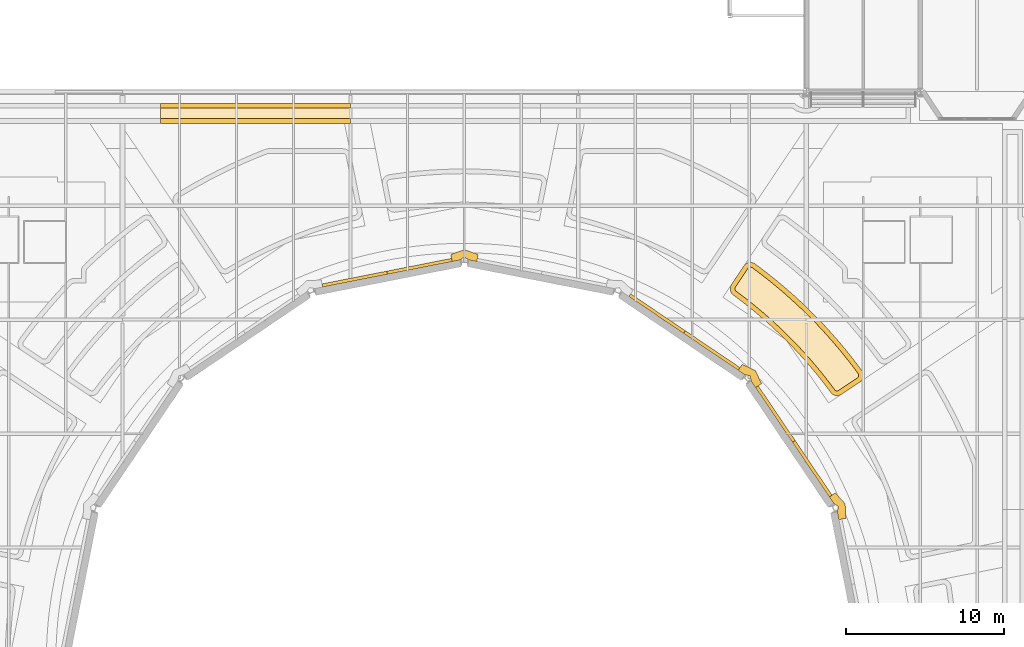
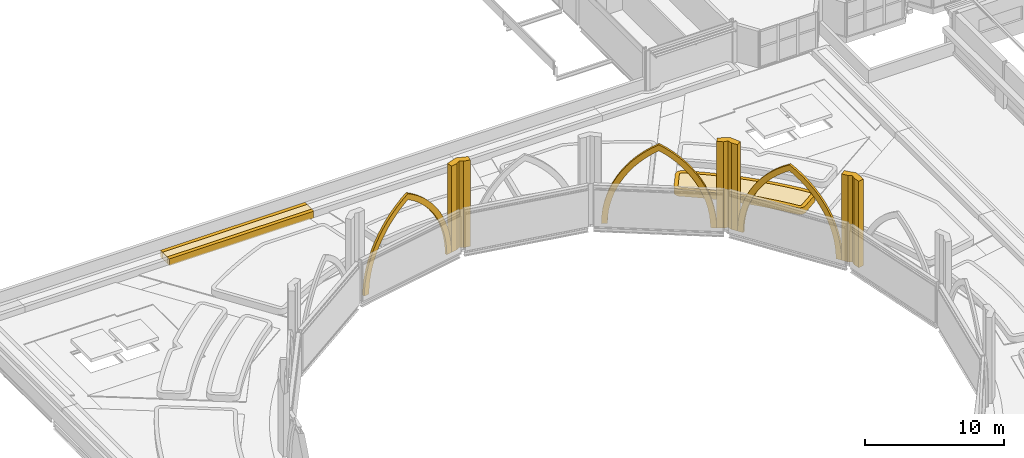
# One storey, part 96 of 110: 11 coverings.
"""IFC4 building model written with IfcOpenShell, lengths in metres."""

from ifc_helpers import new_model, si_unit, direction, frame, origin, place, context, subcontext, project, spatial, polyline, outline, extrude, material, layer, layer_set, type_object, element, save


model = new_model("IFC4")

# Units and contexts
model_context = context("Model", 3, precision=1e-05, world=origin(), true_north=direction((0.0, 1.0)))
body_context = subcontext(model_context, "Body", "Model", "MODEL_VIEW")
ifc_project = project(units=[si_unit("LENGTHUNIT", "METRE"), si_unit("AREAUNIT", "SQUARE_METRE"), si_unit("VOLUMEUNIT", "CUBIC_METRE"), si_unit("PLANEANGLEUNIT", "RADIAN"), si_unit("MASSUNIT", "GRAM", prefix="KILO")], contexts=[model_context])

# Site, building, storey
site_placement = place(None, origin())
site = spatial("IfcSite", under=ifc_project, at=site_placement, CompositionType="ELEMENT")
building_placement = place(site_placement, origin())
building = spatial("IfcBuilding", under=site, at=building_placement, Name="Kupolbacken Congress Centre", CompositionType="ELEMENT")
storey_placement = place(building_placement, frame((0.0, 0.0, 18.0)))
storey = spatial("IfcBuildingStorey", under=building, at=storey_placement, Name="L05", CompositionType="ELEMENT", Elevation=18.0)

# Coverings
ifc_material_1 = material(Name="Limestone cladding", Category="masonry")
ifc_layer_1 = layer(ifc_material_1, 0.60009765625)
ifc_layer_set_1 = layer_set([ifc_layer_1], Name="Limestone cladding")
covering_type_1 = type_object("IfcCoveringType", Name="CV5 limestone arcade pier 600", PredefinedType="CLADDING", material=ifc_layer_set_1)
covering_1_placement = place(storey_placement, origin())
element("IfcCovering", 1, at=covering_1_placement, inside=storey, type_object=covering_type_1, Name="Bed kerb, plenary wing roof", PredefinedType="CLADDING", context=body_context, shape_type="SweptSolid", body=[
    extrude(outline(polyline([(24.0, 120.3974609375), (24.0, 120.697509765625), (36.0, 120.697509765625), (36.0, 120.3974609375), (24.0, 120.3974609375)])), origin(), (0.0, 0.0, 1.0), 0.60009765625),
])
covering_2_placement = place(storey_placement, origin())
element("IfcCovering", 2, at=covering_2_placement, inside=storey, type_object=covering_type_1, Name="Bed kerb, plenary wing roof", PredefinedType="CLADDING", context=body_context, shape_type="SweptSolid", body=[
    extrude(outline(polyline([(36.0, 121.669921875), (36.0, 121.3701171875), (24.0, 121.3701171875), (24.0, 121.669921875), (36.0, 121.669921875)])), origin(), (0.0, 0.0, 1.0), 0.60009765625),
])
covering_3_placement = place(storey_placement, origin())
element("IfcCovering", 3, at=covering_3_placement, inside=storey, type_object=covering_type_1, Name="Bed kerb, plenary wing roof", PredefinedType="CLADDING", context=body_context, shape_type="SweptSolid", body=[
    extrude(outline(polyline([(66.26611328125, 103.5107421875), (65.843017578125, 104.06689453125), (65.839111328125, 104.07177734375), (65.402587890625, 104.6171875), (65.398681640625, 104.6220703125), (64.948974609375, 105.156494140625), (64.94482421875, 105.161376953125), (64.48193359375, 105.684814453125), (64.477783203125, 105.689208984375), (64.002197265625, 106.201171875), (63.998046875, 106.205810546875), (63.510009765625, 106.705810546875), (63.505859375, 106.710205078125), (63.005615234375, 107.197998046875), (63.001220703125, 107.202392578125), (62.4892578125, 107.677978515625), (62.484619140625, 107.681884765625), (61.961181640625, 108.14501953125), (61.95654296875, 108.14892578125), (61.422119140625, 108.5986328125), (61.417236328125, 108.6025390625), (60.87158203125, 109.039306640625), (60.866943359375, 109.04296875), (60.310791015625, 109.466064453125), (60.305908203125, 109.4697265625), (60.204345703125, 109.543212890625), (60.1669921875, 109.572998046875), (60.132568359375, 109.6064453125), (60.101318359375, 109.642822265625), (60.073974609375, 109.68212890625), (60.050537109375, 109.723876953125), (60.031005859375, 109.767578125), (60.015869140625, 109.813232421875), (60.005126953125, 109.85986328125), (59.998779296875, 109.907470703125), (59.997314453125, 109.955322265625), (60.000244140625, 110.003173828125), (60.0078125, 110.05029296875), (60.019775390625, 110.0966796875), (60.0361328125, 110.141845703125), (60.056884765625, 110.18505859375), (60.08154296875, 110.22607421875), (60.859619140625, 111.390869140625), (60.8896484375, 111.43115234375), (60.923583984375, 111.46826171875), (60.9609375, 111.501708984375), (61.00146484375, 111.53125), (61.044921875, 111.556640625), (61.090576171875, 111.57763671875), (61.137939453125, 111.59375), (61.18701171875, 111.605224609375), (61.23681640625, 111.611572265625), (61.287109375, 111.61279296875), (61.3369140625, 111.609375), (61.386474609375, 111.6005859375), (61.434814453125, 111.5869140625), (61.481689453125, 111.568603515625), (61.526123046875, 111.545654296875), (61.568359375, 111.518310546875), (61.733154296875, 111.3994140625), (61.742919921875, 111.391845703125), (62.341064453125, 110.93701171875), (62.3505859375, 110.92919921875), (62.9375, 110.459716796875), (62.947021484375, 110.451904296875), (63.52197265625, 109.968017578125), (63.53125, 109.960205078125), (64.09423828125, 109.46240234375), (64.103271484375, 109.4541015625), (64.65380859375, 108.942626953125), (64.662841796875, 108.93408203125), (65.20068359375, 108.4091796875), (65.209228515625, 108.400634765625), (65.734130859375, 107.86279296875), (65.74267578125, 107.85400390625), (66.254150390625, 107.30322265625), (66.26220703125, 107.294189453125), (66.760009765625, 106.731201171875), (66.76806640625, 106.721923828125), (67.251953125, 106.14697265625), (67.259765625, 106.137451171875), (67.729248046875, 105.55078125), (67.73681640625, 105.541015625), (68.19189453125, 104.94287109375), (68.19921875, 104.93310546875), (68.318359375, 104.768310546875), (68.345703125, 104.726318359375), (68.36865234375, 104.681640625), (68.386962890625, 104.634765625), (68.400634765625, 104.58642578125), (68.4091796875, 104.537109375), (68.412841796875, 104.487060546875), (68.41162109375, 104.436767578125), (68.4052734375, 104.386962890625), (68.393798828125, 104.337890625), (68.377685546875, 104.29052734375), (68.356689453125, 104.244873046875), (68.331298828125, 104.201416015625), (68.3017578125, 104.160888671875), (68.268310546875, 104.12353515625), (68.231201171875, 104.089599609375), (68.19091796875, 104.059814453125), (67.026123046875, 103.281494140625), (66.985107421875, 103.2568359375), (66.94189453125, 103.236083984375), (66.896728515625, 103.2197265625), (66.850341796875, 103.207763671875), (66.802978515625, 103.2001953125), (66.75537109375, 103.197265625), (66.70751953125, 103.198974609375), (66.659912109375, 103.205078125), (66.61328125, 103.2158203125), (66.567626953125, 103.23095703125), (66.52392578125, 103.25048828125), (66.482177734375, 103.27392578125), (66.44287109375, 103.301513671875), (66.406494140625, 103.33251953125), (66.373046875, 103.366943359375), (66.343017578125, 103.404296875), (66.269775390625, 103.505859375), (66.26611328125, 103.5107421875)]), holes=[polyline([(66.58203125, 103.5859375), (66.598388671875, 103.565185546875), (66.61181640625, 103.551513671875), (66.62646484375, 103.539306640625), (66.64208984375, 103.5283203125), (66.65869140625, 103.518798828125), (66.67626953125, 103.510986328125), (66.6943359375, 103.5048828125), (66.712890625, 103.500732421875), (66.73193359375, 103.498291015625), (66.751220703125, 103.49755859375), (66.770263671875, 103.498779296875), (66.7890625, 103.501708984375), (66.8076171875, 103.506591796875), (66.82568359375, 103.51318359375), (66.843017578125, 103.521484375), (66.865478515625, 103.534912109375), (68.017822265625, 104.304931640625), (68.0400390625, 104.3212890625), (68.054931640625, 104.3349609375), (68.068359375, 104.349853515625), (68.080078125, 104.3662109375), (68.090087890625, 104.38330078125), (68.098388671875, 104.401611328125), (68.10498046875, 104.420654296875), (68.109619140625, 104.440185546875), (68.112060546875, 104.4599609375), (68.112548828125, 104.47998046875), (68.111083984375, 104.5), (68.107666015625, 104.519775390625), (68.102294921875, 104.5390625), (68.094970703125, 104.5576171875), (68.085693359375, 104.57568359375), (68.07080078125, 104.5986328125), (67.957275390625, 104.755859375), (67.9521484375, 104.7626953125), (67.499267578125, 105.35791015625), (67.493896484375, 105.36474609375), (67.026611328125, 105.948486328125), (67.021240234375, 105.955078125), (66.539794921875, 106.52734375), (66.5341796875, 106.533935546875), (66.038818359375, 107.093994140625), (66.032958984375, 107.100341796875), (65.524169921875, 107.648193359375), (65.51806640625, 107.654541015625), (64.995849609375, 108.189697265625), (64.98974609375, 108.19580078125), (64.45458984375, 108.718017578125), (64.4482421875, 108.72412109375), (63.900390625, 109.23291015625), (63.89404296875, 109.23876953125), (63.333984375, 109.734130859375), (63.327392578125, 109.73974609375), (62.755126953125, 110.22119140625), (62.74853515625, 110.226806640625), (62.164794921875, 110.694091796875), (62.157958984375, 110.69921875), (61.562744140625, 111.152099609375), (61.555908203125, 111.1572265625), (61.398681640625, 111.270751953125), (61.37548828125, 111.285888671875), (61.357666015625, 111.294921875), (61.339111328125, 111.30224609375), (61.31982421875, 111.3076171875), (61.300048828125, 111.311279296875), (61.280029296875, 111.3125), (61.260009765625, 111.31201171875), (61.239990234375, 111.3095703125), (61.220703125, 111.304931640625), (61.20166015625, 111.298583984375), (61.183349609375, 111.290283203125), (61.166015625, 111.280029296875), (61.14990234375, 111.268310546875), (61.135009765625, 111.2548828125), (61.121337890625, 111.239990234375), (61.10498046875, 111.218017578125), (60.3349609375, 110.0654296875), (60.3212890625, 110.04296875), (60.31298828125, 110.025634765625), (60.306640625, 110.007568359375), (60.3017578125, 109.989013671875), (60.298828125, 109.97021484375), (60.297607421875, 109.951171875), (60.29833984375, 109.931884765625), (60.30078125, 109.9130859375), (60.304931640625, 109.894287109375), (60.31103515625, 109.876220703125), (60.31884765625, 109.858642578125), (60.328125, 109.842041015625), (60.339111328125, 109.826416015625), (60.3515625, 109.811767578125), (60.365234375, 109.798583984375), (60.385986328125, 109.781982421875), (60.483154296875, 109.7119140625), (60.490966796875, 109.7060546875), (61.050048828125, 109.280517578125), (61.0576171875, 109.274658203125), (61.606201171875, 108.835693359375), (61.61376953125, 108.82958984375), (62.151123046875, 108.377197265625), (62.15869140625, 108.370849609375), (62.684814453125, 107.905517578125), (62.692138671875, 107.89892578125), (63.206787109375, 107.4208984375), (63.2138671875, 107.4140625), (63.716552734375, 106.923583984375), (63.723388671875, 106.91650390625), (64.214111328125, 106.413818359375), (64.220947265625, 106.40673828125), (64.698974609375, 105.89208984375), (64.70556640625, 105.884765625), (65.1708984375, 105.358642578125), (65.17724609375, 105.351318359375), (65.62939453125, 104.813720703125), (65.6357421875, 104.80615234375), (66.07470703125, 104.2578125), (66.08056640625, 104.25), (66.506103515625, 103.69091796875), (66.51171875, 103.68310546875), (66.58203125, 103.5859375)])]), origin(), (0.0, 0.0, 1.0), 0.60009765625),
])
ifc_material_2 = material(Name="Limestone cladding", Category="masonry")
ifc_layer_2 = layer(ifc_material_2, 0.5)
ifc_layer_set_2 = layer_set([ifc_layer_2], Name="Limestone cladding")
covering_type_2 = type_object("IfcCoveringType", Name="CV8 limestone drum pier 500", PredefinedType="CLADDING", material=ifc_layer_set_2)
covering_4_placement = place(storey_placement, origin())
element("IfcCovering", 4, at=covering_4_placement, inside=storey, type_object=covering_type_2, Name="F/drum/pier-lo/08/0", PredefinedType="CLADDING", context=body_context, shape_type="SweptSolid", body=[
    extrude(outline(polyline([(67.30224609375, 95.443603515625), (67.258056640625, 96.36376953125), (66.6357421875, 97.04638671875), (66.262939453125, 96.794677734375), (66.54248046875, 96.38037109375), (66.82373046875, 96.18408203125), (66.76416015625, 95.84716796875), (66.86083984375, 95.356689453125), (67.30224609375, 95.443603515625)])), origin(), (0.0, 0.0, 1.0), 7.60009765625),
])
covering_5_placement = place(storey_placement, origin())
element("IfcCovering", 5, at=covering_5_placement, inside=storey, type_object=covering_type_2, Name="F/drum/pier-lo/09/0", PredefinedType="CLADDING", context=body_context, shape_type="SweptSolid", body=[
    extrude(outline(polyline([(61.974853515625, 103.953125), (61.58154296875, 104.781494140625), (60.753173828125, 105.1748046875), (60.50146484375, 104.802001953125), (60.915771484375, 104.522216796875), (61.249267578125, 104.44921875), (61.322265625, 104.11572265625), (61.601806640625, 103.701416015625), (61.974853515625, 103.953125)])), origin(), (0.0, 0.0, 1.0), 7.60009765625),
])
covering_6_placement = place(storey_placement, origin())
element("IfcCovering", 6, at=covering_6_placement, inside=storey, type_object=covering_type_2, Name="F/drum/pier-lo/11/0", PredefinedType="CLADDING", context=body_context, shape_type="SweptSolid", body=[
    extrude(outline(polyline([(44.065185546875, 112.112548828125), (43.199951171875, 112.421630859375), (42.334716796875, 112.112548828125), (42.421630859375, 111.6708984375), (42.912109375, 111.767578125), (43.199951171875, 111.95166015625), (43.48779296875, 111.767578125), (43.978271484375, 111.6708984375), (44.065185546875, 112.112548828125)])), origin(), (0.0, 0.0, 1.0), 7.60009765625),
])
ifc_material_3 = material(Name="Limestone cladding", Category="masonry")
ifc_layer_3 = layer(ifc_material_3, 0.199951171875)
ifc_layer_set_3 = layer_set([ifc_layer_3], Name="Limestone cladding")
covering_type_3 = type_object("IfcCoveringType", Name="CV9 limestone drum arch frame 200", PredefinedType="CLADDING", material=ifc_layer_set_3)
covering_7_placement = place(storey_placement, frame((66.262939453125, 96.794677734375, 0.0), z_axis=(0.828907623157, 0.559385513106, 0.0), x_axis=(-0.559385513106, 0.828907623157, 0.0)))
element("IfcCovering", 7, at=covering_7_placement, inside=storey, type_object=covering_type_3, Name="F/drum/arch/wall/09", PredefinedType="CLADDING", context=body_context, shape_type="SweptSolid", body=[
    extrude(outline(polyline([(0.0, 0.0), (0.0234375, 0.615966796875), (0.09326171875, 1.228271484375), (0.20947265625, 1.833740234375), (0.37109375, 2.428466796875), (0.5771484375, 3.009521484375), (0.826904296875, 3.572998046875), (1.118408203125, 4.115966796875), (1.4501953125, 4.635498046875), (1.820556640625, 5.128173828125), (2.22705078125, 5.591552734375), (2.66748046875, 6.022705078125), (3.139404296875, 6.41943359375), (3.639892578125, 6.779296875), (4.166015625, 7.10009765625), (4.6923828125, 6.779296875), (5.19287109375, 6.41943359375), (5.664794921875, 6.022705078125), (6.105224609375, 5.591552734375), (6.51171875, 5.128173828125), (6.8818359375, 4.635498046875), (7.2138671875, 4.115966796875), (7.50537109375, 3.572998046875), (7.7548828125, 3.009521484375), (7.961181640625, 2.428466796875), (8.122802734375, 1.833740234375), (8.239013671875, 1.228271484375), (8.308837890625, 0.615966796875), (8.332275390625, 0.0), (7.882080078125, 0.0), (7.861572265625, 0.563720703125), (7.799560546875, 1.12451171875), (7.696533203125, 1.67919921875), (7.552978515625, 2.224853515625), (7.3701171875, 2.758544921875), (7.148193359375, 3.277099609375), (6.888916015625, 3.7783203125), (6.59375, 4.259033203125), (6.263916015625, 4.716796875), (5.901611328125, 5.149169921875), (5.50830078125, 5.5537109375), (5.08642578125, 5.92822265625), (4.63818359375, 6.27099609375), (4.166015625, 6.57958984375), (3.694091796875, 6.27099609375), (3.245849609375, 5.92822265625), (2.823974609375, 5.5537109375), (2.4306640625, 5.149169921875), (2.068359375, 4.716796875), (1.738525390625, 4.259033203125), (1.443115234375, 3.7783203125), (1.18408203125, 3.277099609375), (0.96240234375, 2.758544921875), (0.779296875, 2.224853515625), (0.6357421875, 1.67919921875), (0.53271484375, 1.12451171875), (0.470703125, 0.563720703125), (0.449951171875, 0.0), (0.0, 0.0)])), origin(), (0.0, 0.0, 1.0), 0.199951171875),
])
covering_8_placement = place(storey_placement, frame((60.50146484375, 104.802001953125, 0.0), z_axis=(0.559385513106, 0.828907623157, 0.0), x_axis=(-0.828907623157, 0.559385513106, 0.0)))
element("IfcCovering", 8, at=covering_8_placement, inside=storey, type_object=covering_type_3, Name="F/drum/arch/wall/10", PredefinedType="CLADDING", context=body_context, shape_type="SweptSolid", body=[
    extrude(outline(polyline([(0.0, 0.0), (0.0234375, 0.615966796875), (0.09326171875, 1.228271484375), (0.20947265625, 1.833740234375), (0.37109375, 2.428466796875), (0.5771484375, 3.009521484375), (0.826904296875, 3.572998046875), (1.118408203125, 4.115966796875), (1.4501953125, 4.635498046875), (1.820556640625, 5.128173828125), (2.22705078125, 5.591552734375), (2.66748046875, 6.022705078125), (3.139404296875, 6.41943359375), (3.639892578125, 6.779296875), (4.166015625, 7.10009765625), (4.6923828125, 6.779296875), (5.19287109375, 6.41943359375), (5.664794921875, 6.022705078125), (6.105224609375, 5.591552734375), (6.51171875, 5.128173828125), (6.8818359375, 4.635498046875), (7.2138671875, 4.115966796875), (7.50537109375, 3.572998046875), (7.7548828125, 3.009521484375), (7.961181640625, 2.428466796875), (8.122802734375, 1.833740234375), (8.239013671875, 1.228271484375), (8.308837890625, 0.615966796875), (8.332275390625, 0.0), (7.882080078125, 0.0), (7.861572265625, 0.563720703125), (7.799560546875, 1.12451171875), (7.696533203125, 1.67919921875), (7.552978515625, 2.224853515625), (7.3701171875, 2.758544921875), (7.148193359375, 3.277099609375), (6.888916015625, 3.7783203125), (6.59375, 4.259033203125), (6.263916015625, 4.716796875), (5.901611328125, 5.149169921875), (5.50830078125, 5.5537109375), (5.08642578125, 5.92822265625), (4.63818359375, 6.27099609375), (4.166015625, 6.57958984375), (3.694091796875, 6.27099609375), (3.245849609375, 5.92822265625), (2.823974609375, 5.5537109375), (2.4306640625, 5.149169921875), (2.068359375, 4.716796875), (1.738525390625, 4.259033203125), (1.443115234375, 3.7783203125), (1.18408203125, 3.277099609375), (0.96240234375, 2.758544921875), (0.779296875, 2.224853515625), (0.6357421875, 1.67919921875), (0.53271484375, 1.12451171875), (0.470703125, 0.563720703125), (0.449951171875, 0.0), (0.0, 0.0)])), origin(), (0.0, 0.0, 1.0), 0.199951171875),
])
covering_9_placement = place(storey_placement, frame((42.421630859375, 111.6708984375, 0.0), z_axis=(-0.193182328084, 0.981162875427, 0.0), x_axis=(-0.981162875427, -0.193182328084, 0.0)))
element("IfcCovering", 9, at=covering_9_placement, inside=storey, type_object=covering_type_3, Name="F/drum/arch/wall/12", PredefinedType="CLADDING", context=body_context, shape_type="SweptSolid", body=[
    extrude(outline(polyline([(0.0, 0.0), (0.0234375, 0.615966796875), (0.09326171875, 1.228515625), (0.20947265625, 1.833984375), (0.37109375, 2.4287109375), (0.577392578125, 3.009765625), (0.8271484375, 3.5732421875), (1.118896484375, 4.116455078125), (1.450927734375, 4.6357421875), (1.8212890625, 5.128662109375), (2.227783203125, 5.591796875), (2.66845703125, 6.023193359375), (3.140380859375, 6.419677734375), (3.64111328125, 6.779296875), (4.16748046875, 7.10009765625), (4.694091796875, 6.779296875), (5.19482421875, 6.419677734375), (5.666748046875, 6.023193359375), (6.107421875, 5.591796875), (6.513916015625, 5.128662109375), (6.884521484375, 4.6357421875), (7.21630859375, 4.116455078125), (7.508056640625, 3.5732421875), (7.7578125, 3.009765625), (7.964111328125, 2.4287109375), (8.125732421875, 1.833984375), (8.241943359375, 1.228515625), (8.31201171875, 0.615966796875), (8.335205078125, 0.0), (7.88525390625, 0.0), (7.864501953125, 0.56396484375), (7.802490234375, 1.124755859375), (7.699462890625, 1.679443359375), (7.555908203125, 2.22509765625), (7.372802734375, 2.7587890625), (7.15087890625, 3.277587890625), (6.8916015625, 3.77880859375), (6.59619140625, 4.259521484375), (6.266357421875, 4.71728515625), (5.90380859375, 5.1494140625), (5.51025390625, 5.553955078125), (5.08837890625, 5.928466796875), (4.639892578125, 6.27099609375), (4.16748046875, 6.579833984375), (3.6953125, 6.27099609375), (3.2470703125, 5.928466796875), (2.824951171875, 5.553955078125), (2.431640625, 5.1494140625), (2.069091796875, 4.71728515625), (1.739013671875, 4.259521484375), (1.443603515625, 3.77880859375), (1.184326171875, 3.277587890625), (0.96240234375, 2.7587890625), (0.779296875, 2.22509765625), (0.6357421875, 1.679443359375), (0.53271484375, 1.124755859375), (0.470703125, 0.56396484375), (0.449951171875, 0.0), (0.0, 0.0)])), origin(), (0.0, 0.0, 1.0), 0.199951171875),
])
ifc_material_4 = material(Name="Planting substrate", Category="soil")
ifc_layer_4 = layer(ifc_material_4, 0.60009765625)
ifc_layer_set_4 = layer_set([ifc_layer_4], Name="Planting substrate")
covering_type_4 = type_object("IfcCoveringType", Name="GR8 planting substrate 600", PredefinedType="FLOORING", material=ifc_layer_set_4)
covering_10_placement = place(storey_placement, origin())
element("IfcCovering", 10, at=covering_10_placement, inside=storey, type_object=covering_type_4, Name="Planting bed, plenary wing roof", PredefinedType="FLOORING", context=body_context, shape_type="SweptSolid", body=[
    extrude(outline(polyline([(36.0, 121.3701171875), (36.0, 120.697509765625), (24.0, 120.697509765625), (24.0, 121.3701171875), (36.0, 121.3701171875)])), origin(), (0.0, 0.0, 1.0), 0.60009765625),
])
covering_11_placement = place(storey_placement, origin())
element("IfcCovering", 11, at=covering_11_placement, inside=storey, type_object=covering_type_4, Name="Planting bed, plenary wing roof", PredefinedType="FLOORING", context=body_context, shape_type="SweptSolid", body=[
    extrude(outline(polyline([(66.51171875, 103.68310546875), (66.506103515625, 103.69091796875), (66.08056640625, 104.25), (66.07470703125, 104.2578125), (65.6357421875, 104.80615234375), (65.62939453125, 104.813720703125), (65.17724609375, 105.351318359375), (65.1708984375, 105.358642578125), (64.70556640625, 105.884765625), (64.698974609375, 105.89208984375), (64.220947265625, 106.40673828125), (64.214111328125, 106.413818359375), (63.723388671875, 106.91650390625), (63.716552734375, 106.923583984375), (63.2138671875, 107.4140625), (63.206787109375, 107.4208984375), (62.692138671875, 107.89892578125), (62.684814453125, 107.905517578125), (62.15869140625, 108.370849609375), (62.151123046875, 108.377197265625), (61.61376953125, 108.82958984375), (61.606201171875, 108.835693359375), (61.0576171875, 109.274658203125), (61.050048828125, 109.280517578125), (60.490966796875, 109.7060546875), (60.483154296875, 109.7119140625), (60.385986328125, 109.781982421875), (60.365234375, 109.798583984375), (60.3515625, 109.811767578125), (60.339111328125, 109.826416015625), (60.328125, 109.842041015625), (60.31884765625, 109.858642578125), (60.31103515625, 109.876220703125), (60.304931640625, 109.894287109375), (60.30078125, 109.9130859375), (60.29833984375, 109.931884765625), (60.297607421875, 109.951171875), (60.298828125, 109.97021484375), (60.3017578125, 109.989013671875), (60.306640625, 110.007568359375), (60.31298828125, 110.025634765625), (60.3212890625, 110.04296875), (60.3349609375, 110.0654296875), (61.10498046875, 111.218017578125), (61.121337890625, 111.239990234375), (61.135009765625, 111.2548828125), (61.14990234375, 111.268310546875), (61.166015625, 111.280029296875), (61.183349609375, 111.290283203125), (61.20166015625, 111.298583984375), (61.220703125, 111.304931640625), (61.239990234375, 111.3095703125), (61.260009765625, 111.31201171875), (61.280029296875, 111.3125), (61.300048828125, 111.311279296875), (61.31982421875, 111.3076171875), (61.339111328125, 111.30224609375), (61.357666015625, 111.294921875), (61.37548828125, 111.285888671875), (61.398681640625, 111.270751953125), (61.555908203125, 111.1572265625), (61.562744140625, 111.152099609375), (62.157958984375, 110.69921875), (62.164794921875, 110.694091796875), (62.74853515625, 110.226806640625), (62.755126953125, 110.22119140625), (63.327392578125, 109.73974609375), (63.333984375, 109.734130859375), (63.89404296875, 109.23876953125), (63.900390625, 109.23291015625), (64.4482421875, 108.72412109375), (64.45458984375, 108.718017578125), (64.98974609375, 108.19580078125), (64.995849609375, 108.189697265625), (65.51806640625, 107.654541015625), (65.524169921875, 107.648193359375), (66.032958984375, 107.100341796875), (66.038818359375, 107.093994140625), (66.5341796875, 106.533935546875), (66.539794921875, 106.52734375), (67.021240234375, 105.955078125), (67.026611328125, 105.948486328125), (67.493896484375, 105.36474609375), (67.499267578125, 105.35791015625), (67.9521484375, 104.7626953125), (67.957275390625, 104.755859375), (68.07080078125, 104.5986328125), (68.085693359375, 104.57568359375), (68.094970703125, 104.5576171875), (68.102294921875, 104.5390625), (68.107666015625, 104.519775390625), (68.111083984375, 104.5), (68.112548828125, 104.47998046875), (68.112060546875, 104.4599609375), (68.109619140625, 104.440185546875), (68.10498046875, 104.420654296875), (68.098388671875, 104.401611328125), (68.090087890625, 104.38330078125), (68.080078125, 104.3662109375), (68.068359375, 104.349853515625), (68.054931640625, 104.3349609375), (68.0400390625, 104.3212890625), (68.017822265625, 104.304931640625), (66.865478515625, 103.534912109375), (66.843017578125, 103.521484375), (66.82568359375, 103.51318359375), (66.8076171875, 103.506591796875), (66.7890625, 103.501708984375), (66.770263671875, 103.498779296875), (66.751220703125, 103.49755859375), (66.73193359375, 103.498291015625), (66.712890625, 103.500732421875), (66.6943359375, 103.5048828125), (66.67626953125, 103.510986328125), (66.65869140625, 103.518798828125), (66.64208984375, 103.5283203125), (66.62646484375, 103.539306640625), (66.61181640625, 103.551513671875), (66.598388671875, 103.565185546875), (66.58203125, 103.5859375), (66.51171875, 103.68310546875)])), origin(), (0.0, 0.0, 1.0), 0.60009765625),
])

save(model, "model.ifc")
